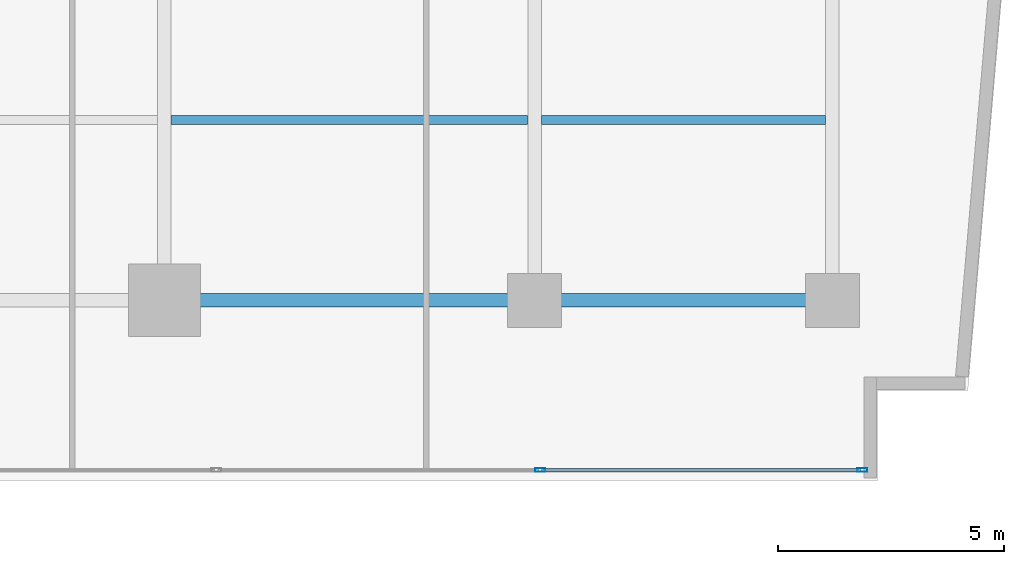
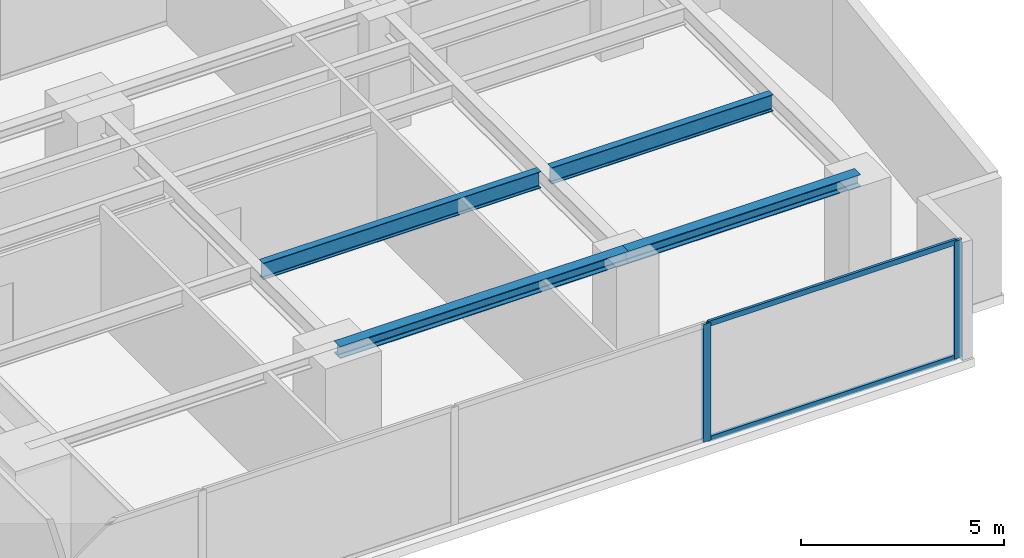
# One storey, part 11 of 28: 4 beams, 4 members, 1 element without a shape of its own.
"""IFC4 building model written with IfcOpenShell, lengths in metres."""

from ifc_helpers import new_model, si_unit, direction, frame, origin, origin_with_axes, origin_2d, place, context, subcontext, project, spatial, hollow_rectangle, i_section, extrude, source, transform, mapped, material, layer, layer_set, material_profile, profile_set, type_object, element, aggregate, save


model = new_model("IFC4")

# Units and contexts
model_context = context("Model", 3, precision=1e-05, world=origin(), true_north=direction((0.0, 1.0)))
body_context = subcontext(model_context, "Body", "Model", "MODEL_VIEW")
ifc_project = project(units=[si_unit("LENGTHUNIT", "METRE"), si_unit("AREAUNIT", "SQUARE_METRE"), si_unit("VOLUMEUNIT", "CUBIC_METRE"), si_unit("PLANEANGLEUNIT", "RADIAN"), si_unit("MASSUNIT", "GRAM", prefix="KILO")], contexts=[model_context])

# Site, building, storey
site_placement = place(None, origin())
site = spatial("IfcSite", under=ifc_project, at=site_placement, CompositionType="ELEMENT")
building_placement = place(site_placement, origin())
building = spatial("IfcBuilding", under=site, at=building_placement, Name="Kolvaren Waterfront Exchange", CompositionType="ELEMENT")
storey_placement = place(building_placement, frame((0.0, 0.0, 75.199951171875)))
storey = spatial("IfcBuildingStorey", under=building, at=storey_placement, Name="L19", CompositionType="ELEMENT", Elevation=75.199951171875)

# Beams
ifc_material_1 = material(Name="Steel S355", Category="steel")
ifc_material_profile_1 = material_profile(ifc_material_1, i_section(OverallWidth=0.300048828125, OverallDepth=0.360107421875, WebThickness=0.012451171875, FlangeThickness=0.0224609375, FilletRadius=0.027099609375, at=origin_2d()), Name="HEB360")
ifc_profile_set_1 = profile_set([ifc_material_profile_1], Name="Steel S355")
beam_type_1 = type_object("IfcBeamType", Name="STR-BM-HEB360", PredefinedType="SPANDREL", material=ifc_profile_set_1)
beam_1_placement = place(storey_placement, frame((45.60009765625, 5.199951171875, 3.360107421875), z_axis=(1.0, 0.0, 0.0), x_axis=(0.0, 1.0, 0.0)))
element("IfcBeam", 1, at=beam_1_placement, inside=storey, type_object=beam_type_1, Name="L19 east-arm spandrel S4", PredefinedType="SPANDREL", context=body_context, shape_type="SweptSolid", body=[
    extrude(i_section(OverallWidth=0.300048828125, OverallDepth=0.360107421875, WebThickness=0.012451171875, FlangeThickness=0.0224609375, FilletRadius=0.027099609375, at=origin_2d()), origin(), (0.0, 0.0, 1.0), 8.199951171875),
])
beam_2_placement = place(storey_placement, frame((53.800048828125, 5.199951171875, 3.360107421875), z_axis=(1.0, 0.0, 0.0), x_axis=(0.0, 1.0, 0.0)))
element("IfcBeam", 2, at=beam_2_placement, inside=storey, type_object=beam_type_1, Name="L19 east-arm spandrel S5", PredefinedType="SPANDREL", context=body_context, shape_type="SweptSolid", body=[
    extrude(i_section(OverallWidth=0.300048828125, OverallDepth=0.360107421875, WebThickness=0.012451171875, FlangeThickness=0.0224609375, FilletRadius=0.027099609375, at=origin_2d()), origin(), (0.0, 0.0, 1.0), 6.599853515625),
])
ifc_material_profile_2 = material_profile(ifc_material_1, i_section(OverallWidth=0.199951171875, OverallDepth=0.5, WebThickness=0.01025390625, FlangeThickness=0.01611328125, FilletRadius=0.02099609375, at=origin_2d()), Name="IPE500")
ifc_profile_set_2 = profile_set([ifc_material_profile_2], Name="Steel S355")
beam_type_2 = type_object("IfcBeamType", Name="STR-BM-IPE500", PredefinedType="JOIST", material=ifc_profile_set_2)
beam_3_placement = place(storey_placement, frame((45.751953125, 9.199951171875, 3.2900390625), z_axis=(1.0, 0.0, 0.0), x_axis=(0.0, 1.0, 0.0)))
element("IfcBeam", 3, at=beam_3_placement, inside=storey, type_object=beam_type_2, Name="L19 east-arm composite joist 4B", PredefinedType="JOIST", context=body_context, shape_type="SweptSolid", body=[
    extrude(i_section(OverallWidth=0.199951171875, OverallDepth=0.5, WebThickness=0.01025390625, FlangeThickness=0.01611328125, FilletRadius=0.02099609375, at=origin_2d()), origin(), (0.0, 0.0, 1.0), 7.89599609375),
])
beam_4_placement = place(storey_placement, frame((53.951904296875, 9.199951171875, 3.2900390625), z_axis=(1.0, 0.0, 0.0), x_axis=(0.0, 1.0, 0.0)))
element("IfcBeam", 4, at=beam_4_placement, inside=storey, type_object=beam_type_2, Name="L19 east-arm composite joist 5B", PredefinedType="JOIST", context=body_context, shape_type="SweptSolid", body=[
    extrude(i_section(OverallWidth=0.199951171875, OverallDepth=0.5, WebThickness=0.01025390625, FlangeThickness=0.01611328125, FilletRadius=0.02099609375, at=origin_2d()), origin(), (0.0, 0.0, 1.0), 6.296142578125),
])

# Curtain wall, members
ifc_material_2 = material(Name="Anodised bronze aluminium 6063-T6", Category="aluminium")
ifc_layer = layer(ifc_material_2, 0.219970703125, Name="Anodised bronze aluminium 6063-T6")
ifc_layer_set = layer_set([ifc_layer], Name="Anodised bronze aluminium 6063-T6")
curtain_wall_type = type_object("IfcCurtainWallType", Name="ARC-CW-SYS1", PredefinedType="USERDEFINED", material=ifc_layer_set)
curtain_wall_placement = place(storey_placement, origin())
curtain_wall = element("IfcCurtainWall", 5, at=curtain_wall_placement, inside=storey, type_object=curtain_wall_type, Name="L19 stick curtain wall CW1 (CW-L19-S)", ObjectType="STICK CURTAIN WALL", PredefinedType="USERDEFINED")
ifc_material_3 = material(Name="Anodised aluminium 6063-T6", Category="aluminium")
ifc_material_profile_3 = material_profile(ifc_material_3, hollow_rectangle(XDim=0.074951171875, YDim=0.159912109375, WallThickness=0.00439453125, at=origin_2d()), Name="ALU-TRN-160x75x4.5")
ifc_profile_set_3 = profile_set([ifc_material_profile_3], Name="Anodised aluminium 6063-T6")
member_type_1 = type_object("IfcMemberType", Name="ARC-CWT-160", PredefinedType="USERDEFINED", material=ifc_profile_set_3)
shared_shape_1 = source(origin_with_axes(), body_context, "Body", "SweptSolid", [
    extrude(hollow_rectangle(XDim=0.074951171875, YDim=0.159912109375, WallThickness=0.00439453125, at=origin_2d()), origin(), (0.0, 0.0, 1.0), 7.054931640625),
])
member_1_placement = place(storey_placement, frame((53.965087890625, 1.43994140625, 0.03759765625), z_axis=(1.0, 0.0, 0.0), x_axis=(0.0, 1.0, 0.0)))
member_1 = element("IfcMember", 6, at=member_1_placement, type_object=member_type_1, Name="CW1 transom 8.1", ObjectType="TRANSOM", PredefinedType="USERDEFINED", context=body_context, shape_type="MappedRepresentation", body=[
    mapped(shared_shape_1, transform((0.0, 0.0, 0.0), x_axis=(1.0, 0.0, 0.0), y_axis=(0.0, 1.0, 0.0), z_axis=(0.0, 0.0, 1.0), scale=1.0)),
])
member_2_placement = place(storey_placement, frame((53.965087890625, 1.43994140625, 3.50244140625), z_axis=(1.0, 0.0, 0.0), x_axis=(0.0, 1.0, 0.0)))
member_2 = element("IfcMember", 7, at=member_2_placement, type_object=member_type_1, Name="CW1 transom 8.2", ObjectType="TRANSOM", PredefinedType="USERDEFINED", context=body_context, shape_type="MappedRepresentation", body=[
    mapped(shared_shape_1, transform((0.0, 0.0, 0.0), x_axis=(1.0, 0.0, 0.0), y_axis=(0.0, 1.0, 0.0), z_axis=(0.0, 0.0, 1.0), scale=1.0)),
])
ifc_material_profile_4 = material_profile(ifc_material_3, hollow_rectangle(XDim=0.080078125, YDim=0.219970703125, WallThickness=0.0048828125, at=origin_2d()), Name="ALU-MUL-220x80x5")
ifc_profile_set_4 = profile_set([ifc_material_profile_4], Name="Anodised aluminium 6063-T6")
member_type_2 = type_object("IfcMemberType", Name="ARC-CWM-220", PredefinedType="MULLION", material=ifc_profile_set_4)
shared_shape_2 = source(origin_with_axes(), body_context, "Body", "SweptSolid", [
    extrude(hollow_rectangle(XDim=0.080078125, YDim=0.219970703125, WallThickness=0.0048828125, at=origin_2d()), origin(), (0.0, 0.0, 1.0), 3.5400390625),
])
member_3_placement = place(storey_placement, frame((53.925048828125, 1.43994140625, 0.0), z_axis=(0.0, 0.0, 1.0), x_axis=(0.0, 1.0, 0.0)))
member_3 = element("IfcMember", 8, at=member_3_placement, type_object=member_type_2, Name="CW1 mullion 8", PredefinedType="MULLION", context=body_context, shape_type="MappedRepresentation", body=[
    mapped(shared_shape_2, transform((0.0, 0.0, 0.0), x_axis=(1.0, 0.0, 0.0), y_axis=(0.0, 1.0, 0.0), z_axis=(0.0, 0.0, 1.0), scale=1.0)),
])
member_4_placement = place(storey_placement, frame((61.06005859375, 1.43994140625, 0.0), z_axis=(0.0, 0.0, 1.0), x_axis=(0.0, 1.0, 0.0)))
member_4 = element("IfcMember", 9, at=member_4_placement, type_object=member_type_2, Name="CW1 mullion 9", PredefinedType="MULLION", context=body_context, shape_type="MappedRepresentation", body=[
    mapped(shared_shape_2, transform((0.0, 0.0, 0.0), x_axis=(1.0, 0.0, 0.0), y_axis=(0.0, 1.0, 0.0), z_axis=(0.0, 0.0, 1.0), scale=1.0)),
])
aggregate(curtain_wall, [member_3, member_4, member_1, member_2])

save(model, "model.ifc")
